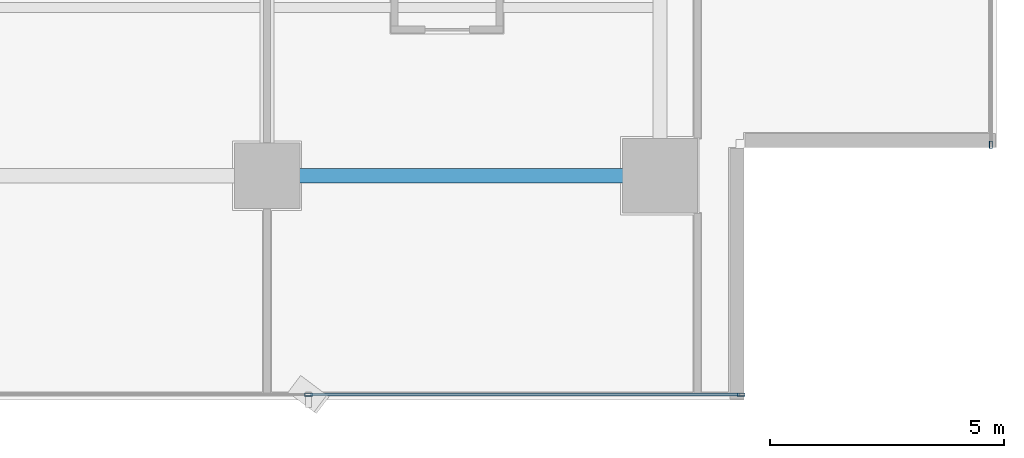
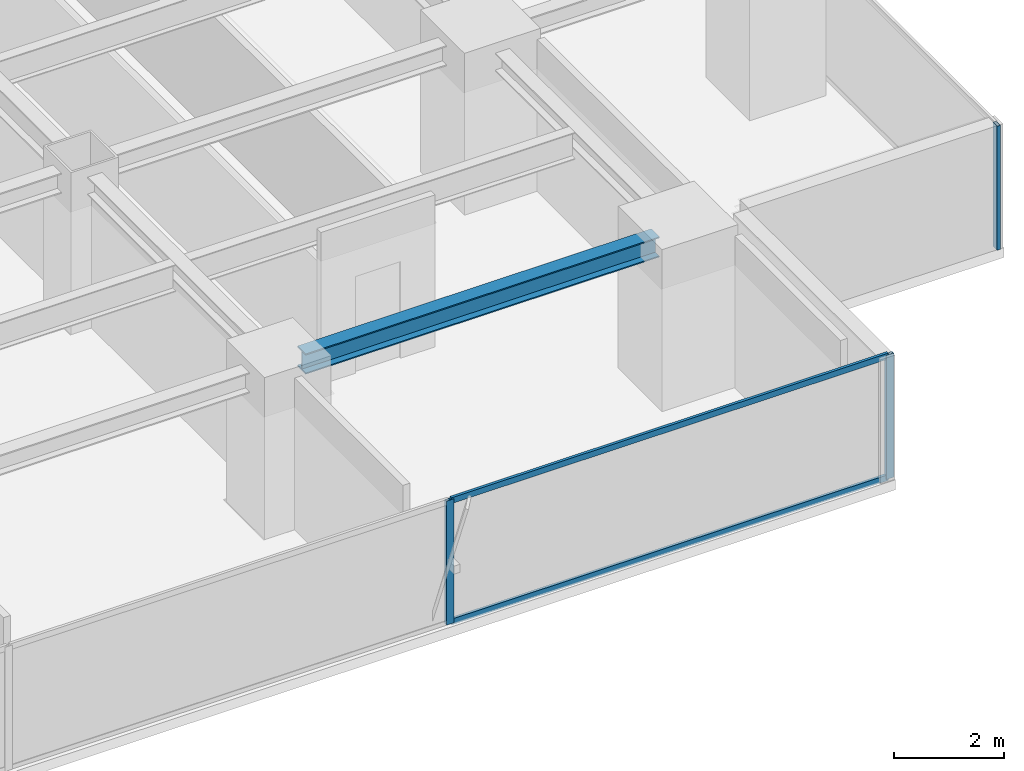
# One storey, part 9 of 28: 5 members, 1 beam, 2 elements without a shape of their own.
"""IFC4 building model written with IfcOpenShell, lengths in metres."""

import ifcopenshell
import ifcopenshell.guid

model = None  # the IFC model being written
_history = None  # IfcOwnerHistory: only IFC2X3 demands one
_inside = {}  # id of a spatial element -> (the spatial element, [elements in it])
_under = {}  # id of a project, library or spatial element -> (it, [spatial elements below it])
_declared = {}  # id of a project -> (the project, [libraries it declares])
_typed = {}  # id of a type object -> (the type object, [elements of that type])
_made_of = {}  # id of a material, layer set ... -> (it, [elements and type objects made of it])


def new_model(schema):
    """Start an empty IFC model of exactly this schema.

    Asked for "IFC4X3", IfcOpenShell would pick the latest addendum, in which some entities
    have other attributes; the version numbers below select the first issue.
    IFC2X3 requires an IfcOwnerHistory on every rooted entity: one is made here for all.
    """
    global model, _history
    if schema == "IFC4X3":
        model = ifcopenshell.file(schema_version=(4, 3, 0, 0))
    else:
        model = ifcopenshell.file(schema=schema)
    _inside.clear()
    _under.clear()
    _declared.clear()
    _typed.clear()
    _made_of.clear()
    _history = None
    if model.schema == "IFC2X3":
        org = make("IfcOrganization", Name="unknown")
        user = make(
            "IfcPersonAndOrganization",
            ThePerson=make("IfcPerson", FamilyName="unknown"),
            TheOrganization=org,
        )
        app = make(
            "IfcApplication",
            ApplicationDeveloper=org,
            Version="unknown",
            ApplicationFullName="unknown",
            ApplicationIdentifier="unknown",
        )
        _history = make(
            "IfcOwnerHistory",
            OwningUser=user,
            OwningApplication=app,
            ChangeAction="ADDED",
            CreationDate=0,
        )
    return model


def make(cls, **values):
    """One entity of the class cls with the attributes given. An attribute that is None is left unset."""
    return model.create_entity(
        cls, **{name: value for name, value in values.items() if value is not None}
    )


def rooted(cls, **values):
    """An entity with a GlobalId (a new one), such as an element, a storey or a relation."""
    return make(cls, GlobalId=ifcopenshell.guid.new(), OwnerHistory=_history, **values)


def si_unit(unit_type, name, prefix=None):
    """IfcSIUnit, for example si_unit("LENGTHUNIT", "METRE", prefix="MILLI")."""
    return make("IfcSIUnit", UnitType=unit_type, Prefix=prefix, Name=name)


def assignment(units):
    """IfcUnitAssignment: the units of a project."""
    return None if units is None else make("IfcUnitAssignment", Units=units)


def point(xyz):
    """IfcCartesianPoint."""
    return None if xyz is None else make("IfcCartesianPoint", Coordinates=xyz)


def direction(xyz):
    """IfcDirection."""
    return None if xyz is None else make("IfcDirection", DirectionRatios=xyz)


def frame(location, z_axis=None, x_axis=None):
    """IfcAxis2Placement3D, a coordinate frame: its origin and axes. An axis left out is left unset."""
    return make(
        "IfcAxis2Placement3D",
        Location=point(location),
        Axis=direction(z_axis),
        RefDirection=direction(x_axis),
    )


def frame_2d(location, x_axis=None):
    """IfcAxis2Placement2D, a coordinate frame in the plane: its origin and x axis."""
    return make(
        "IfcAxis2Placement2D", Location=point(location), RefDirection=direction(x_axis)
    )


def origin():
    """The frame at (0, 0, 0) with its axes left unset."""
    return frame((0.0, 0.0, 0.0))


def origin_2d():
    """The frame at (0, 0) in the plane with its x axis left unset."""
    return frame_2d((0.0, 0.0))


def place(relative_to, where):
    """IfcLocalPlacement: puts the frame where relative to a parent placement (None: the world)."""
    return make(
        "IfcLocalPlacement", PlacementRelTo=relative_to, RelativePlacement=where
    )


def context(
    kind, dimensions, precision=None, world=None, true_north=None, identifier=None
):
    """IfcGeometricRepresentationContext, for example the 3D "Model" context."""
    return make(
        "IfcGeometricRepresentationContext",
        ContextIdentifier=identifier,
        ContextType=kind,
        CoordinateSpaceDimension=dimensions,
        Precision=precision,
        WorldCoordinateSystem=world,
        TrueNorth=true_north,
    )


def subcontext(parent, identifier, kind, view, scale=None):
    """IfcGeometricRepresentationSubContext, for example "Body" below "Model"."""
    return make(
        "IfcGeometricRepresentationSubContext",
        ContextIdentifier=identifier,
        ContextType=kind,
        ParentContext=parent,
        TargetScale=scale,
        TargetView=view,
    )


def project(units=None, contexts=None):
    """IfcProject with its units and contexts."""
    return rooted(
        "IfcProject",
        Name="project",
        RepresentationContexts=contexts,
        UnitsInContext=assignment(units),
    )


def spatial(cls, under=None, at=None, **own):
    """A site, building, storey or space (cls), placed at a placement, below another one or the project."""
    s = rooted(cls, ObjectPlacement=at, **own)
    if under is not None:
        _under.setdefault(under.id(), (under, []))[1].append(s)
    return s


def profile(cls, at=None, kind="AREA", **sizes):
    """A parametric profile (cls). Its sizes go by their IFC names, for example OverallWidth=200.0."""
    return make(cls, ProfileType=kind, Position=at, **sizes)


def hollow_rectangle(**sizes):
    """IfcRectangleHollowProfileDef."""
    return profile("IfcRectangleHollowProfileDef", **sizes)


def i_section(**sizes):
    """IfcIShapeProfileDef."""
    return profile("IfcIShapeProfileDef", **sizes)


def extrude(swept, where, along, depth):
    """IfcExtrudedAreaSolid: the profile swept, set in the frame where, extruded along a direction by depth."""
    return make(
        "IfcExtrudedAreaSolid",
        SweptArea=swept,
        Position=where,
        ExtrudedDirection=direction(along),
        Depth=depth,
    )


def shape(context_of_items, identifier, shape_type, items):
    """IfcShapeRepresentation: the items that make up one representation, for example the "Body"."""
    return make(
        "IfcShapeRepresentation",
        ContextOfItems=context_of_items,
        RepresentationIdentifier=identifier,
        RepresentationType=shape_type,
        Items=items,
    )


def source(mapping_origin, context_of_items, identifier, shape_type, items):
    """IfcRepresentationMap: a shape defined once, which mapped items show again and again."""
    return make(
        "IfcRepresentationMap",
        MappingOrigin=mapping_origin,
        MappedRepresentation=shape(context_of_items, identifier, shape_type, items),
    )


def transform(
    local_origin,
    x_axis=None,
    y_axis=None,
    z_axis=None,
    scale=None,
    scale2=None,
    scale3=None,
    uniform=True,
):
    """IfcCartesianTransformationOperator3D, or its non-uniform kind. x_axis, y_axis, z_axis: its Axis1, 2, 3."""
    if uniform:
        return make(
            "IfcCartesianTransformationOperator3D",
            Axis1=direction(x_axis),
            Axis2=direction(y_axis),
            LocalOrigin=point(local_origin),
            Scale=scale,
            Axis3=direction(z_axis),
        )
    return make(
        "IfcCartesianTransformationOperator3DnonUniform",
        Axis1=direction(x_axis),
        Axis2=direction(y_axis),
        LocalOrigin=point(local_origin),
        Scale=scale,
        Axis3=direction(z_axis),
        Scale2=scale2,
        Scale3=scale3,
    )


def mapped(mapping_source, mapping_target):
    """IfcMappedItem: shows the shape of a source again, moved by a transform."""
    return make(
        "IfcMappedItem", MappingSource=mapping_source, MappingTarget=mapping_target
    )


def material(Name=None, Category=None):
    """IfcMaterial."""
    return make("IfcMaterial", Name=Name, Category=Category)


def layer(
    of_material, thickness, ventilated=None, Name=None, Category=None, Priority=None
):
    """IfcMaterialLayer: one layer of a wall or slab, of a material (None: an air gap)."""
    return make(
        "IfcMaterialLayer",
        Material=of_material,
        LayerThickness=thickness,
        IsVentilated=ventilated,
        Name=Name,
        Category=Category,
        Priority=Priority,
    )


def layer_set(layers, Name=None):
    """IfcMaterialLayerSet."""
    return make("IfcMaterialLayerSet", MaterialLayers=layers, LayerSetName=Name)


def material_profile(
    of_material, cross_section, Name=None, Category=None, Priority=None
):
    """IfcMaterialProfile: a cross section and its material."""
    return make(
        "IfcMaterialProfile",
        Name=Name,
        Material=of_material,
        Profile=cross_section,
        Priority=Priority,
        Category=Category,
    )


def profile_set(profiles, Name=None, composite=None):
    """IfcMaterialProfileSet."""
    return make(
        "IfcMaterialProfileSet",
        Name=Name,
        MaterialProfiles=profiles,
        CompositeProfile=composite,
    )


def made_of(thing, what):
    """Note that an element or type object is made of a material, layer set ...; save() writes the relation."""
    if what is not None:
        _made_of.setdefault(what.id(), (what, []))[1].append(thing)
    return thing


def type_object(cls, material=None, **own):
    """A type object (cls), such as IfcWallType, which elements share."""
    return made_of(rooted(cls, **own), material)


def element(
    cls,
    number,
    at=None,
    inside=None,
    cuts=None,
    type_object=None,
    material=None,
    context=None,
    identifier="Body",
    shape_type=None,
    held_by="IfcProductDefinitionShape",
    body=None,
    shapes=None,
    **own,
):
    """One element of the class cls, such as IfcWall. Its Tag is "e" and its number.

    at: its placement. inside: the storey or other place that contains it. cuts: it is an
    opening in that element (IfcRelVoidsElement). A single representation is given by context,
    identifier, shape_type and body (its items); several are given by shapes. held_by: the class
    of the entity that holds the representations. save() writes the other relations.
    """
    e = rooted(cls, Tag="e%d" % number, ObjectPlacement=at, **own)
    if body is not None:
        shapes = [shape(context, identifier, shape_type, body)]
    if shapes is not None:
        e.Representation = make(held_by, Representations=shapes)
    if inside is not None:
        _inside.setdefault(inside.id(), (inside, []))[1].append(e)
    if cuts is not None:
        rooted(
            "IfcRelVoidsElement", RelatingBuildingElement=cuts, RelatedOpeningElement=e
        )
    if type_object is not None:
        _typed.setdefault(type_object.id(), (type_object, []))[1].append(e)
    return made_of(e, material)


def aggregate(whole, parts):
    """IfcRelAggregates: a whole, such as a stair, and the parts it consists of."""
    return rooted("IfcRelAggregates", RelatingObject=whole, RelatedObjects=parts)


def save(model, path):
    """Write the relations noted so far, then the file.

    IfcRelAggregates (storeys below a building ...), IfcRelContainedInSpatialStructure (elements
    in a storey), IfcRelDefinesByType, IfcRelAssociatesMaterial and IfcRelDeclares: one each for
    every whole, place, type object, material and project.
    """
    for whole, parts in _under.values():
        aggregate(whole, parts)
    for where, things in _inside.values():
        rooted(
            "IfcRelContainedInSpatialStructure",
            RelatedElements=things,
            RelatingStructure=where,
        )
    for kind, things in _typed.values():
        rooted("IfcRelDefinesByType", RelatedObjects=things, RelatingType=kind)
    for what, things in _made_of.values():
        rooted("IfcRelAssociatesMaterial", RelatedObjects=things, RelatingMaterial=what)
    for by, libraries in _declared.values():
        rooted("IfcRelDeclares", RelatingContext=by, RelatedDefinitions=libraries)
    model.write(path)


model = new_model("IFC4")

# Units and contexts
model_context = context("Model", 3, precision=1e-05, world=origin(), true_north=direction((0.0, 1.0)))
body_context = subcontext(model_context, "Body", "Model", "MODEL_VIEW")
ifc_project = project(units=[si_unit("LENGTHUNIT", "METRE"), si_unit("AREAUNIT", "SQUARE_METRE"), si_unit("VOLUMEUNIT", "CUBIC_METRE"), si_unit("PLANEANGLEUNIT", "RADIAN"), si_unit("MASSUNIT", "GRAM", prefix="KILO")], contexts=[model_context])

# Site, building, storey
site_placement = place(None, origin())
site = spatial("IfcSite", under=ifc_project, at=site_placement, CompositionType="ELEMENT")
building_placement = place(site_placement, origin())
building = spatial("IfcBuilding", under=site, at=building_placement, Name="Sumidabori Civic Tower", CompositionType="ELEMENT")
storey_placement = place(building_placement, frame((0.0, 0.0, 153.199951171875)))
storey = spatial("IfcBuildingStorey", under=building, at=storey_placement, Name="L39", CompositionType="ELEMENT", Elevation=153.199951171875)

# Beam
ifc_material_1 = material(Name="Steel SN490", Category="steel")
ifc_material_profile_1 = material_profile(ifc_material_1, i_section(OverallWidth=0.300048828125, OverallDepth=0.449951171875, WebThickness=0.013916015625, FlangeThickness=0.02587890625, at=origin_2d()), Name="HE 450 B")
ifc_profile_set_1 = profile_set([ifc_material_profile_1], Name="Steel SN490")
beam_type = type_object("IfcBeamType", Name="BM-GIRD-450", PredefinedType="BEAM", material=ifc_profile_set_1)
shared_shape_1 = source(origin(), body_context, "Body", "SweptSolid", [
    extrude(i_section(OverallWidth=0.300048828125, OverallDepth=0.449951171875, WebThickness=0.013916015625, FlangeThickness=0.02587890625, at=origin_2d()), origin(), (0.0, 0.0, 1.0), 7.440185546875),
])
beam_placement = place(storey_placement, frame((8.8798828125, -18.0, 3.155029296875), z_axis=(1.0, 0.0, 0.0), x_axis=(0.0, 1.0, 0.0)))
element("IfcBeam", 1, at=beam_placement, inside=storey, type_object=beam_type, Name="Primary Girder L39 GX-04", PredefinedType="BEAM", context=body_context, shape_type="MappedRepresentation", body=[
    mapped(shared_shape_1, transform((0.0, 0.0, 0.0), x_axis=(1.0, 0.0, 0.0), y_axis=(0.0, 1.0, 0.0), z_axis=(0.0, 0.0, 1.0), scale=1.0)),
])

# Curtain wall, members
ifc_material_2 = material(Name="Anodised Bronze Aluminium AW-6063-T6", Category="aluminium")
ifc_layer = layer(ifc_material_2, 0.179931640625, Name="Anodised Bronze Aluminium AW-6063-T6")
ifc_layer_set = layer_set([ifc_layer], Name="Anodised Bronze Aluminium AW-6063-T6")
curtain_wall_type = type_object("IfcCurtainWallType", Name="CW-SYS-3", PredefinedType="NOTDEFINED", material=ifc_layer_set)
curtain_wall_1_placement = place(storey_placement, origin())
curtain_wall_1 = element("IfcCurtainWall", 2, at=curtain_wall_1_placement, inside=storey, type_object=curtain_wall_type, Name="Curtain Wall CW:L39:R01", PredefinedType="NOTDEFINED")
ifc_material_profile_2 = material_profile(ifc_material_2, hollow_rectangle(XDim=0.06494140625, YDim=0.159912109375, WallThickness=0.0048828125, at=origin_2d()), Name="ALU MULLION 160x65")
ifc_profile_set_2 = profile_set([ifc_material_profile_2], Name="Anodised Bronze Aluminium AW-6063-T6")
member_type_1 = type_object("IfcMemberType", Name="CW-MUL-160", PredefinedType="MULLION", material=ifc_profile_set_2)
shared_shape_2 = source(origin(), body_context, "Body", "SweptSolid", [
    extrude(hollow_rectangle(XDim=0.06494140625, YDim=0.159912109375, WallThickness=0.0048828125, at=origin_2d()), origin(), (0.0, 0.0, 1.0), 2.760009765625),
])
member_1_placement = place(storey_placement, frame((9.284912109375, -22.679931640625, 0.0), z_axis=(0.0, 0.0, 1.0), x_axis=(0.0, 1.0, 0.0)))
member_1 = element("IfcMember", 3, at=member_1_placement, type_object=member_type_1, Name="CW-3 mullion 4", PredefinedType="MULLION", context=body_context, shape_type="MappedRepresentation", body=[
    mapped(shared_shape_2, transform((0.0, 0.0, 0.0), x_axis=(1.0, 0.0, 0.0), y_axis=(0.0, 1.0, 0.0), z_axis=(0.0, 0.0, 1.0), scale=1.0)),
])
member_2_placement = place(storey_placement, frame((18.53759765625, -22.679931640625, 0.0), z_axis=(0.0, 0.0, 1.0), x_axis=(0.0, 1.0, 0.0)))
member_2 = element("IfcMember", 4, at=member_2_placement, type_object=member_type_1, Name="CW-3 mullion 5", PredefinedType="MULLION", context=body_context, shape_type="MappedRepresentation", body=[
    mapped(shared_shape_2, transform((0.0, 0.0, 0.0), x_axis=(1.0, 0.0, 0.0), y_axis=(0.0, 1.0, 0.0), z_axis=(0.0, 0.0, 1.0), scale=1.0)),
])

# Curtain wall, member
curtain_wall_2_placement = place(storey_placement, origin())
curtain_wall_2 = element("IfcCurtainWall", 5, at=curtain_wall_2_placement, inside=storey, type_object=curtain_wall_type, Name="Curtain Wall CW:L39:R04", PredefinedType="NOTDEFINED")
member_3_placement = place(storey_placement, frame((23.8798828125, -17.33740234375, 0.0), z_axis=(0.0, 0.0, 1.0), x_axis=(-1.0, 0.0, 0.0)))
member_3 = element("IfcMember", 6, at=member_3_placement, type_object=member_type_1, Name="CW-3 mullion 1", PredefinedType="MULLION", context=body_context, shape_type="MappedRepresentation", body=[
    mapped(shared_shape_2, transform((0.0, 0.0, 0.0), x_axis=(1.0, 0.0, 0.0), y_axis=(0.0, 1.0, 0.0), z_axis=(0.0, 0.0, 1.0), scale=1.0)),
])
aggregate(curtain_wall_2, [member_3])

# Member
ifc_material_profile_3 = material_profile(ifc_material_2, hollow_rectangle(XDim=0.06005859375, YDim=0.1298828125, WallThickness=0.0048828125, at=origin_2d()), Name="ALU TRANSOM 130x60")
ifc_profile_set_3 = profile_set([ifc_material_profile_3], Name="Anodised Bronze Aluminium AW-6063-T6")
member_type_2 = type_object("IfcMemberType", Name="CW-TRN-130", PredefinedType="USERDEFINED", material=ifc_profile_set_3)
shared_shape_3 = source(origin(), body_context, "Body", "SweptSolid", [
    extrude(hollow_rectangle(XDim=0.06005859375, YDim=0.1298828125, WallThickness=0.0048828125, at=origin_2d()), origin(), (0.0, 0.0, 1.0), 9.1875),
])
member_4_placement = place(storey_placement, frame((9.3173828125, -22.679931640625, 0.030029296875), z_axis=(1.0, 0.0, 0.0), x_axis=(0.0, 1.0, 0.0)))
member_4 = element("IfcMember", 7, at=member_4_placement, type_object=member_type_2, Name="CW-3 transom 4.1", ObjectType="TRANSOM", PredefinedType="USERDEFINED", context=body_context, shape_type="MappedRepresentation", body=[
    mapped(shared_shape_3, transform((0.0, 0.0, 0.0), x_axis=(1.0, 0.0, 0.0), y_axis=(0.0, 1.0, 0.0), z_axis=(0.0, 0.0, 1.0), scale=1.0)),
])

member_5_placement = place(storey_placement, frame((9.3173828125, -22.679931640625, 2.72998046875), z_axis=(1.0, 0.0, 0.0), x_axis=(0.0, 1.0, 0.0)))
member_5 = element("IfcMember", 8, at=member_5_placement, type_object=member_type_2, Name="CW-3 transom 4.2", ObjectType="TRANSOM", PredefinedType="USERDEFINED", context=body_context, shape_type="MappedRepresentation", body=[
    mapped(shared_shape_3, transform((0.0, 0.0, 0.0), x_axis=(1.0, 0.0, 0.0), y_axis=(0.0, 1.0, 0.0), z_axis=(0.0, 0.0, 1.0), scale=1.0)),
])

aggregate(curtain_wall_1, [member_1, member_2, member_4, member_5])

save(model, "model.ifc")
